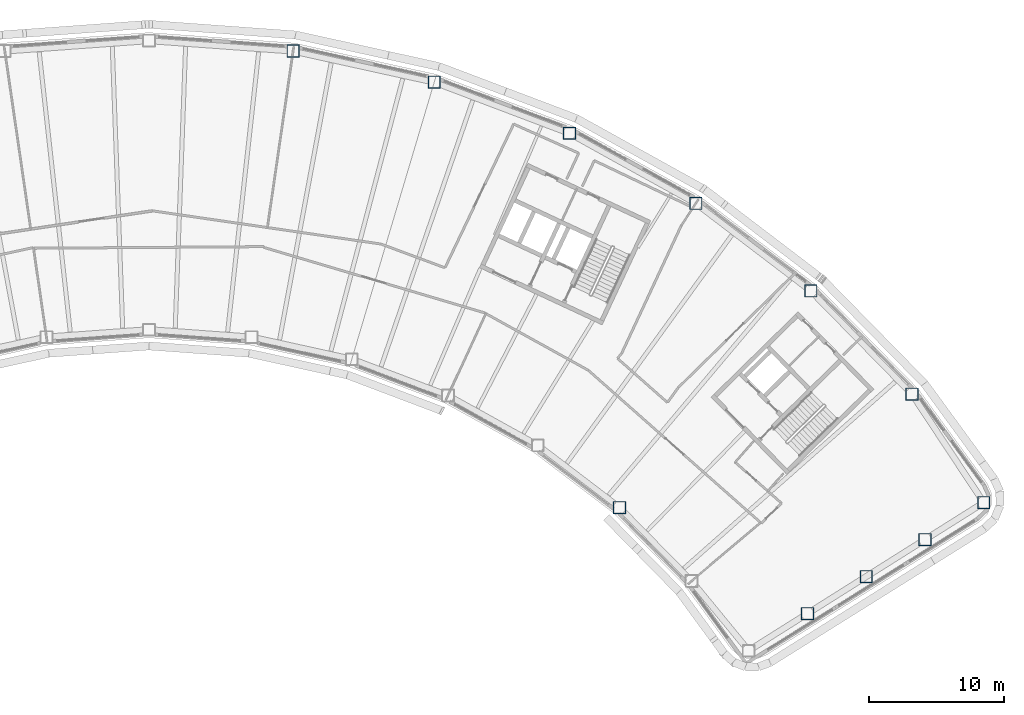
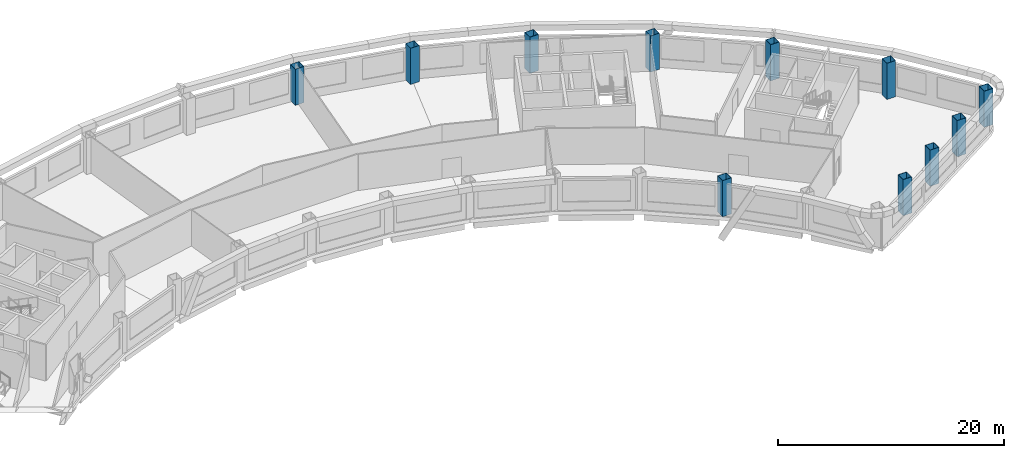
# One storey, part 2 of 12: 11 columns.
"""IFC4 building model written with IfcOpenShell, lengths in metres."""

from ifc_helpers import new_model, si_unit, direction, frame, origin, origin_2d, place, context, subcontext, project, spatial, hollow_rectangle, extrude, material, material_profile, profile_set, type_object, element, save


model = new_model("IFC4")

# Units and contexts
model_context = context("Model", 3, precision=1e-05, world=origin(), true_north=direction((0.0, 1.0)))
body_context = subcontext(model_context, "Body", "Model", "MODEL_VIEW")
ifc_project = project(units=[si_unit("LENGTHUNIT", "METRE"), si_unit("AREAUNIT", "SQUARE_METRE"), si_unit("VOLUMEUNIT", "CUBIC_METRE"), si_unit("PLANEANGLEUNIT", "RADIAN"), si_unit("MASSUNIT", "GRAM", prefix="KILO")], contexts=[model_context])

# Site, building, storey
site_placement = place(None, origin())
site = spatial("IfcSite", under=ifc_project, at=site_placement, CompositionType="ELEMENT")
building_placement = place(site_placement, origin())
building = spatial("IfcBuilding", under=site, at=building_placement, Name="Tuul Gate Civic Tower", CompositionType="ELEMENT")
storey_placement = place(building_placement, frame((0.0, 0.0, 176.300048828125)))
storey = spatial("IfcBuildingStorey", under=building, at=storey_placement, Name="Level 40", CompositionType="ELEMENT", Elevation=176.300048828125)

# Columns
ifc_material = material(Name="Steel S355", Category="steel")
ifc_material_profile = material_profile(ifc_material, hollow_rectangle(XDim=0.89990234375, YDim=0.89990234375, WallThickness=0.031982421875, at=origin_2d()), Name="BOX900x900x32")
ifc_profile_set = profile_set([ifc_material_profile], Name="Steel S355")
column_type = type_object("IfcColumnType", Name="STR-COLUMN-BOX900x900x32", PredefinedType="COLUMN", material=ifc_profile_set)
for number, where, z_axis, x_axis, name in (
    (1, (62.660888671875, -20.512939453125, 0.0), (0.0, 0.0, 1.0), (1.0, 0.0, 0.0), "Column"),
    (2, (57.362060546875, -12.5, 0.0), (0.0, 0.0, 1.0), (1.0, 0.0, 0.0), "Column"),
    (3, (49.886962890625, -4.875, 0.0), (0.0, 0.0, 1.0), (1.0, 0.0, 0.0), "Column"),
    (4, (41.39208984375, 1.593017578125, 0.0), (0.0, 0.0, 1.0), (1.0, 0.0, 0.0), "Column"),
    (5, (32.053955078125, 6.77001953125, 0.0), (0.0, 0.0, 1.0), (1.0, 0.0, 0.0), "Column"),
    (6, (22.06689453125, 10.5458984375, 0.0), (0.0, 0.0, 1.0), (1.0, 0.0, 0.0), "Column"),
    (7, (11.638916015625, 12.843994140625, 0.0), (0.0, 0.0, 1.0), (1.0, 0.0, 0.0), "Column"),
    (8, (35.757080078125, -20.886962890625, 0.0), (0.0, 0.0, 1.0), (1.0, 0.0, 0.0), "Column"),
    (9, (49.633056640625, -28.716064453125, 0.0), (0.0, 0.0, 1.0), (1.0, 0.0, 0.0), "Column"),
    (10, (53.97607421875, -25.98193359375, 0.0), (0.0, 0.0, 1.0), (1.0, 0.0, 0.0), "Column"),
    (11, (58.318115234375, -23.2470703125, 0.0), (0.0, 0.0, 1.0), (1.0, 0.0, 0.0), "Column"),
):
    element("IfcColumn", number, at=place(storey_placement, frame(where, z_axis=z_axis, x_axis=x_axis)), inside=storey, type_object=column_type, Name=name, PredefinedType="COLUMN", context=body_context, shape_type="SweptSolid", body=[
        extrude(hollow_rectangle(XDim=0.89990234375, YDim=0.89990234375, WallThickness=0.031982421875, at=origin_2d()), origin(), (0.0, 0.0, 1.0), 3.89990234375),
    ])

save(model, "model.ifc")
